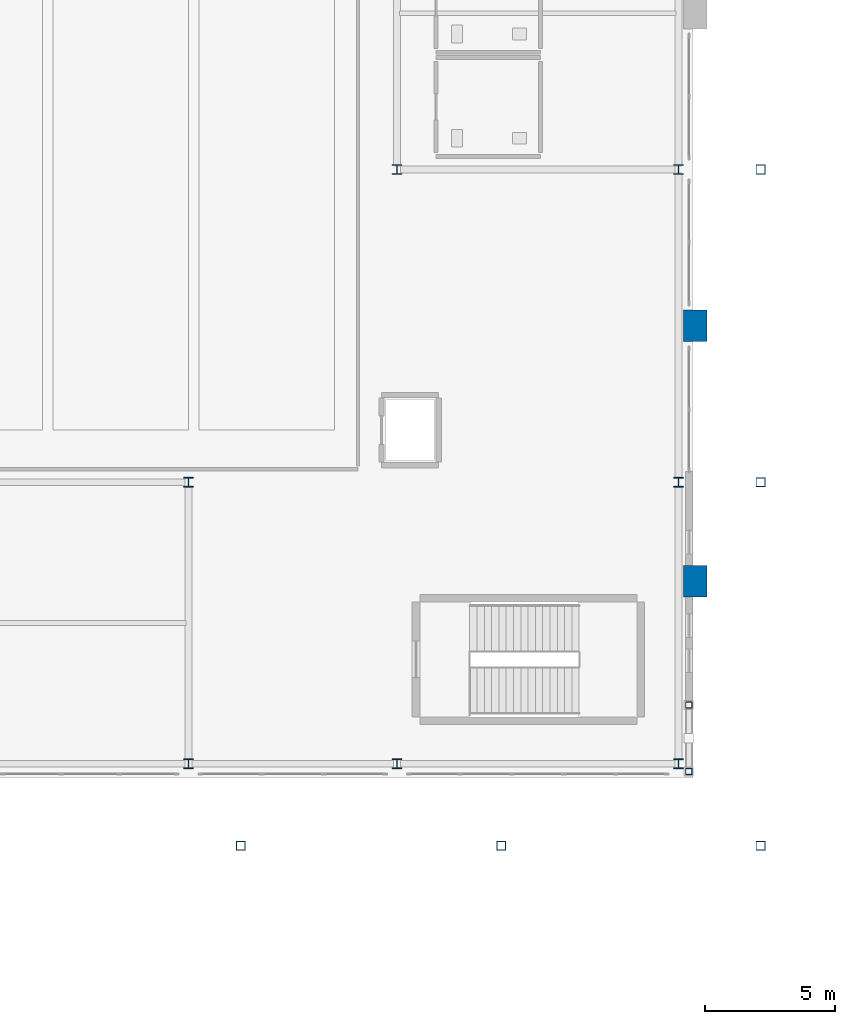
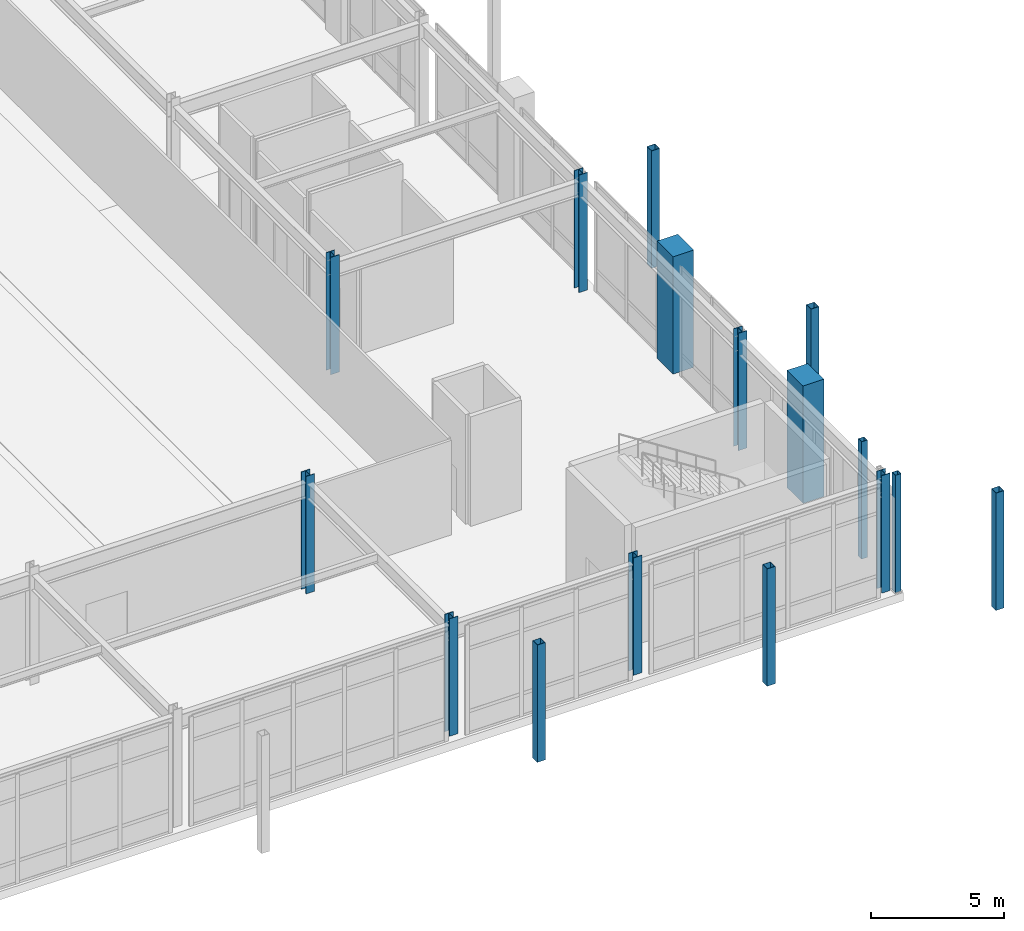
# One storey, part 9 of 159: 16 columns.
"""IFC4 building model written with IfcOpenShell, lengths in metres."""

from ifc_helpers import new_model, si_unit, derived_unit, direction, frame, origin, origin_2d, place, context, subcontext, project, spatial, rectangle, hollow_rectangle, i_section, extrude, material, material_profile, profile_set, type_object, element, save


model = new_model("IFC4")

# Units and contexts
model_context = context("Model", 3, precision=1e-05, world=origin(), true_north=direction((0.0, 1.0)))
body_context = subcontext(model_context, "Body", "Model", "MODEL_VIEW")
ifc_project = project(units=[si_unit("LENGTHUNIT", "METRE"), si_unit("AREAUNIT", "SQUARE_METRE"), si_unit("VOLUMEUNIT", "CUBIC_METRE"), si_unit("PLANEANGLEUNIT", "RADIAN"), si_unit("MASSUNIT", "GRAM", prefix="KILO"), derived_unit("THERMALTRANSMITTANCEUNIT", [(si_unit("MASSUNIT", "GRAM", prefix="KILO"), 1), (si_unit("TIMEUNIT", "SECOND"), -3), (si_unit("THERMODYNAMICTEMPERATUREUNIT", "KELVIN"), -1)])], contexts=[model_context])

# Site, building, storey
site_placement = place(None, origin())
site = spatial("IfcSite", under=ifc_project, at=site_placement, CompositionType="ELEMENT")
building_placement = place(site_placement, origin())
building = spatial("IfcBuilding", under=site, at=building_placement, Name="Valcora Ridge Arena", CompositionType="ELEMENT")
storey_placement = place(building_placement, frame((0.0, 0.0, 6.0)))
storey = spatial("IfcBuildingStorey", under=building, at=storey_placement, Name="L01", CompositionType="ELEMENT", Elevation=6.0)

# Columns
ifc_material_1 = material(Name="Bush-hammered Andean travertine architectural concrete C45/55", Category="masonry")
ifc_material_profile_1 = material_profile(ifc_material_1, rectangle(XDim=0.89990234375, YDim=1.199951171875, at=origin_2d()), Name="RC 900x1200")
ifc_profile_set_1 = profile_set([ifc_material_profile_1], Name="Bush-hammered Andean travertine architectural concrete C45/55")
column_type_1 = type_object("IfcColumnType", Name="TY-COLUMN-C-BUTT-1200", PredefinedType="PILASTER", material=ifc_profile_set_1)
for number, where, z_axis, x_axis, name in (
    (1, (187.449951171875, 12.199951171875, 0.0), (0.0, 0.0, 1.0), (1.0, 0.0, 0.0), "C-BUTT-1200 COL-C-BUTT-1200-0372"),
    (2, (187.449951171875, 22.0, 0.0), (0.0, 0.0, 1.0), (1.0, 0.0, 0.0), "C-BUTT-1200 COL-C-BUTT-1200-0375"),
):
    element("IfcColumn", number, at=place(storey_placement, frame(where, z_axis=z_axis, x_axis=x_axis)), inside=storey, type_object=column_type_1, Name=name, PredefinedType="PILASTER", context=body_context, shape_type="SweptSolid", body=[
        extrude(rectangle(XDim=0.89990234375, YDim=1.199951171875, at=origin_2d()), origin(), (0.0, 0.0, 1.0), 5.39990234375),
    ])
ifc_material_2 = material(Name="Steel ASTM A500 Grade C", Category="steel")
ifc_material_profile_2 = material_profile(ifc_material_2, hollow_rectangle(XDim=0.25, YDim=0.25, WallThickness=0.012451171875, at=origin_2d()), Name="HSS250X250X12")
ifc_profile_set_2 = profile_set([ifc_material_profile_2], Name="Steel ASTM A500 Grade C")
column_type_2 = type_object("IfcColumnType", Name="TY-COLUMN-C-CBF250", PredefinedType="COLUMN", material=ifc_profile_set_2)
for number, where, z_axis, x_axis, name in (
    (3, (187.199951171875, 4.89990234375, 0.0), (0.0, 0.0, 1.0), (1.0, 0.0, 0.0), "C-CBF250 COL-CBF-C-CBF250-0002"),
    (4, (187.199951171875, 7.449951171875, 0.0), (0.0, 0.0, 1.0), (1.0, 0.0, 0.0), "C-CBF250 COL-CBF-C-CBF250-0005"),
):
    element("IfcColumn", number, at=place(storey_placement, frame(where, z_axis=z_axis, x_axis=x_axis)), inside=storey, type_object=column_type_2, Name=name, PredefinedType="COLUMN", context=body_context, shape_type="SweptSolid", body=[
        extrude(hollow_rectangle(XDim=0.25, YDim=0.25, WallThickness=0.012451171875, at=origin_2d()), origin(), (0.0, 0.0, 1.0), 5.39990234375),
    ])
ifc_material_profile_3 = material_profile(ifc_material_2, hollow_rectangle(XDim=0.35009765625, YDim=0.35009765625, WallThickness=0.01611328125, at=origin_2d()), Name="HSS350X350X16")
ifc_profile_set_3 = profile_set([ifc_material_profile_3], Name="Steel ASTM A500 Grade C")
column_type_3 = type_object("IfcColumnType", Name="TY-COLUMN-C-COL350", PredefinedType="COLUMN", material=ifc_profile_set_3)
for number, where, z_axis, x_axis, name in (
    (5, (189.949951171875, 2.050048828125, 0.0), (0.0, 0.0, 1.0), (1.0, 0.0, 0.0), "C-COL350 COL-C-COL350-0023"),
    (6, (189.949951171875, 16.0, 0.0), (0.0, 0.0, 1.0), (1.0, 0.0, 0.0), "C-COL350 COL-C-COL350-0026"),
    (7, (189.949951171875, 28.0, 0.0), (0.0, 0.0, 1.0), (1.0, 0.0, 0.0), "C-COL350 COL-C-COL350-0029"),
    (8, (170.0, 2.050048828125, 0.0), (0.0, 0.0, 1.0), (1.0, 0.0, 0.0), "C-COL350 COL-C-COL350-0050"),
    (9, (180.0, 2.050048828125, 0.0), (0.0, 0.0, 1.0), (1.0, 0.0, 0.0), "C-COL350 COL-C-COL350-0053"),
):
    element("IfcColumn", number, at=place(storey_placement, frame(where, z_axis=z_axis, x_axis=x_axis)), inside=storey, type_object=column_type_3, Name=name, PredefinedType="COLUMN", context=body_context, shape_type="SweptSolid", body=[
        extrude(hollow_rectangle(XDim=0.35009765625, YDim=0.35009765625, WallThickness=0.01611328125, at=origin_2d()), origin(), (0.0, 0.0, 1.0), 5.39990234375),
    ])
ifc_material_3 = material(Name="Steel ASTM A572 Grade 50", Category="steel")
ifc_material_profile_4 = material_profile(ifc_material_3, i_section(OverallWidth=0.3740234375, OverallDepth=0.373046875, WebThickness=0.016357421875, FlangeThickness=0.026123046875, FilletRadius=0.01806640625, at=origin_2d()), Name="W14X132")
ifc_profile_set_4 = profile_set([ifc_material_profile_4], Name="Steel ASTM A572 Grade 50")
column_type_4 = type_object("IfcColumnType", Name="TY-COLUMN-C-STL14B", PredefinedType="COLUMN", material=ifc_profile_set_4)
for number, where, z_axis, x_axis, name in (
    (10, (168.0, 5.199951171875, 0.0), (0.0, 0.0, 1.0), (1.0, 0.0, 0.0), "C-STL14B COL-C-STL14B-0037"),
    (11, (168.0, 16.0, 0.0), (0.0, 0.0, 1.0), (1.0, 0.0, 0.0), "C-STL14B COL-C-STL14B-0039"),
    (12, (176.0, 5.199951171875, 0.0), (0.0, 0.0, 1.0), (1.0, 0.0, 0.0), "C-STL14B COL-C-STL14B-0045"),
    (13, (176.0, 28.0, 0.0), (0.0, 0.0, 1.0), (1.0, 0.0, 0.0), "C-STL14B COL-C-STL14B-0047"),
    (14, (186.800048828125, 5.199951171875, 0.0), (0.0, 0.0, 1.0), (1.0, 0.0, 0.0), "C-STL14B COL-C-STL14B-0057"),
    (15, (186.800048828125, 16.0, 0.0), (0.0, 0.0, 1.0), (1.0, 0.0, 0.0), "C-STL14B COL-C-STL14B-0059"),
    (16, (186.800048828125, 28.0, 0.0), (0.0, 0.0, 1.0), (1.0, 0.0, 0.0), "C-STL14B COL-C-STL14B-0061"),
):
    element("IfcColumn", number, at=place(storey_placement, frame(where, z_axis=z_axis, x_axis=x_axis)), inside=storey, type_object=column_type_4, Name=name, PredefinedType="COLUMN", context=body_context, shape_type="SweptSolid", body=[
        extrude(i_section(OverallWidth=0.3740234375, OverallDepth=0.373046875, WebThickness=0.016357421875, FlangeThickness=0.026123046875, FilletRadius=0.01806640625, at=origin_2d()), origin(), (0.0, 0.0, 1.0), 5.39990234375),
    ])

save(model, "model.ifc")
